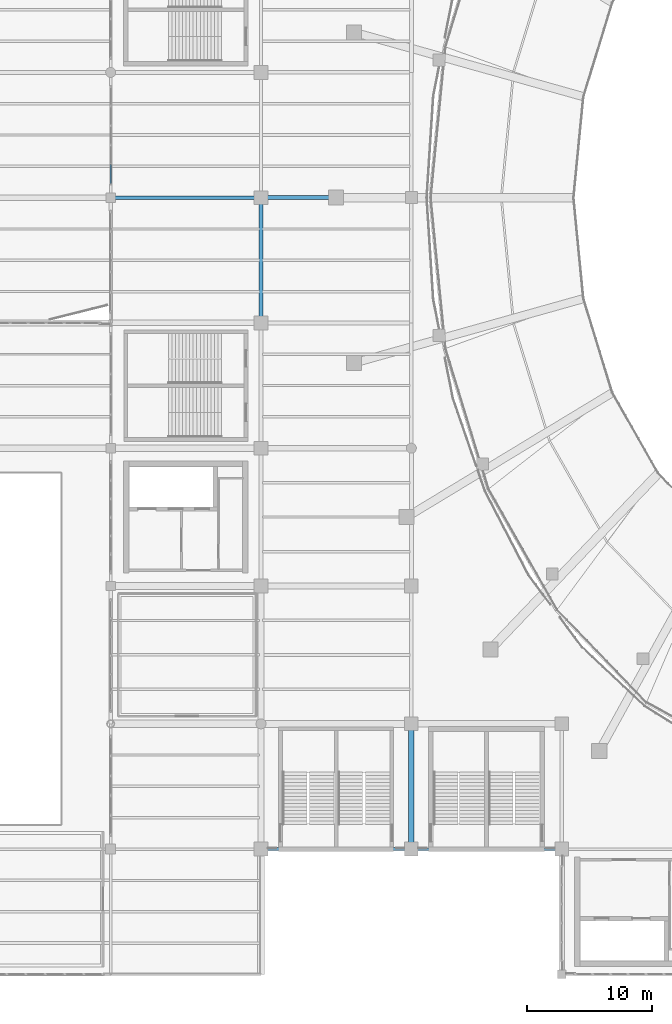
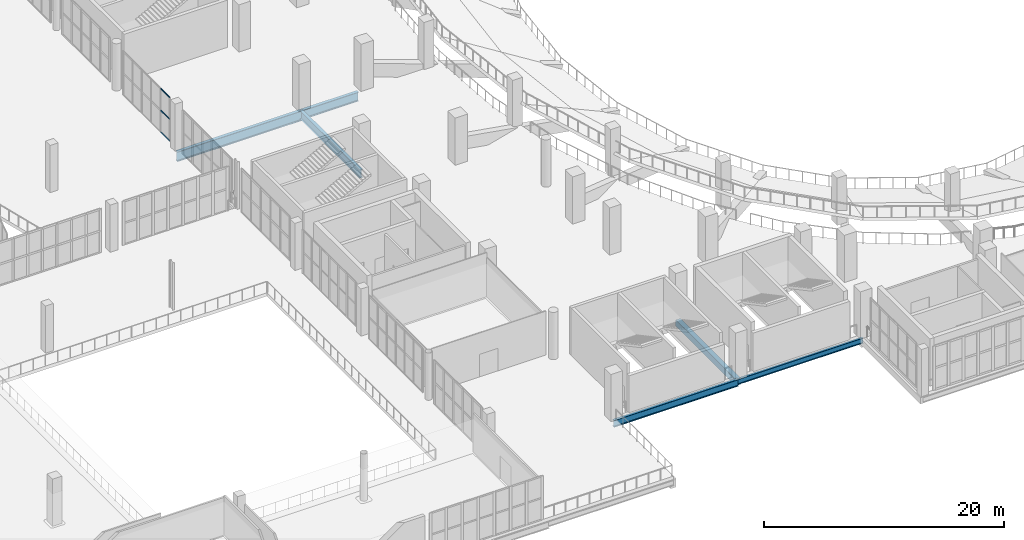
# One storey, part 37 of 136: 6 beams, 3 members, 1 element without a shape of its own.
"""IFC4 building model written with IfcOpenShell, lengths in metres."""

from ifc_helpers import new_model, si_unit, direction, frame, origin, origin_2d, place, context, subcontext, project, spatial, rectangle, hollow_rectangle, i_section, extrude, material, layer, layer_set, material_profile, profile_set, type_object, element, aggregate, save


model = new_model("IFC4")

# Units and contexts
model_context = context("Model", 3, precision=1e-05, world=origin(), true_north=direction((0.0, 1.0)))
body_context = subcontext(model_context, "Body", "Model", "MODEL_VIEW")
ifc_project = project(units=[si_unit("LENGTHUNIT", "METRE"), si_unit("AREAUNIT", "SQUARE_METRE"), si_unit("VOLUMEUNIT", "CUBIC_METRE"), si_unit("PLANEANGLEUNIT", "RADIAN"), si_unit("MASSUNIT", "GRAM", prefix="KILO")], contexts=[model_context])

# Site, building, storey
site_placement = place(None, origin())
site = spatial("IfcSite", under=ifc_project, at=site_placement, CompositionType="ELEMENT")
building_placement = place(site_placement, origin())
building = spatial("IfcBuilding", under=site, at=building_placement, Name="Brinegate Civic Arena", CompositionType="ELEMENT")
storey_placement = place(building_placement, frame((0.0, 0.0, 5.39990234375)))
storey = spatial("IfcBuildingStorey", under=building, at=storey_placement, Name="L01", CompositionType="ELEMENT", Elevation=5.39990234375)

# Curtain wall, members
ifc_material_1 = material(Name="Marine grade aluminium", Category="aluminium")
ifc_layer = layer(ifc_material_1, 0.199951171875, Name="Marine grade aluminium")
ifc_layer_set = layer_set([ifc_layer], Name="Marine grade aluminium")
curtain_wall_type = type_object("IfcCurtainWallType", Name="CW-BOWL-GLAZED-01", PredefinedType="USERDEFINED", material=ifc_layer_set)
curtain_wall_placement = place(storey_placement, origin())
curtain_wall = element("IfcCurtainWall", 1, at=curtain_wall_placement, inside=storey, type_object=curtain_wall_type, Name="Curtain Wall CWA-054", ObjectType="GLAZED CURTAIN WALL", PredefinedType="USERDEFINED")
ifc_material_profile_1 = material_profile(ifc_material_1, hollow_rectangle(XDim=0.06494140625, YDim=0.139892578125, WallThickness=0.0048828125, InnerFilletRadius=0.00390625, OuterFilletRadius=0.008056640625, at=origin_2d()), Name="TRN65X140")
ifc_profile_set_1 = profile_set([ifc_material_profile_1], Name="Marine grade aluminium")
member_type = type_object("IfcMemberType", Name="CW-TRANSOM-65X140", PredefinedType="USERDEFINED", material=ifc_profile_set_1)
member_1_placement = place(storey_placement, frame((48.0, 63.14501953125, 0.03271484375), z_axis=(0.0, 1.0, 0.0), x_axis=(-1.0, 0.0, 0.0)))
member_1 = element("IfcMember", 2, at=member_1_placement, type_object=member_type, Name="CWA-054 transom 1.1", ObjectType="TRANSOM", PredefinedType="USERDEFINED", context=body_context, shape_type="SweptSolid", body=[
    extrude(hollow_rectangle(XDim=0.06494140625, YDim=0.139892578125, WallThickness=0.0048828125, InnerFilletRadius=0.00390625, OuterFilletRadius=0.008056640625, at=origin_2d()), origin(), (0.0, 0.0, 1.0), 1.46337890625),
])
member_2_placement = place(storey_placement, frame((48.0, 63.14501953125, 2.235107421875), z_axis=(0.0, 1.0, 0.0), x_axis=(-1.0, 0.0, 0.0)))
member_2 = element("IfcMember", 3, at=member_2_placement, type_object=member_type, Name="CWA-054 transom 1.2", ObjectType="TRANSOM", PredefinedType="USERDEFINED", context=body_context, shape_type="SweptSolid", body=[
    extrude(hollow_rectangle(XDim=0.06494140625, YDim=0.139892578125, WallThickness=0.0048828125, InnerFilletRadius=0.00390625, OuterFilletRadius=0.008056640625, at=origin_2d()), origin(), (0.0, 0.0, 1.0), 1.46337890625),
])
member_3_placement = place(storey_placement, frame((48.0, 63.14501953125, 4.4375), z_axis=(0.0, 1.0, 0.0), x_axis=(-1.0, 0.0, 0.0)))
member_3 = element("IfcMember", 4, at=member_3_placement, type_object=member_type, Name="CWA-054 transom 1.3", ObjectType="TRANSOM", PredefinedType="USERDEFINED", context=body_context, shape_type="SweptSolid", body=[
    extrude(hollow_rectangle(XDim=0.06494140625, YDim=0.139892578125, WallThickness=0.0048828125, InnerFilletRadius=0.00390625, OuterFilletRadius=0.008056640625, at=origin_2d()), origin(), (0.0, 0.0, 1.0), 1.46337890625),
])
aggregate(curtain_wall, [member_1, member_2, member_3])

# Beams
ifc_material_2 = material(Name="Steel S355", Category="steel")
ifc_material_profile_2 = material_profile(ifc_material_2, i_section(OverallWidth=0.300048828125, OverallDepth=1.0, WebThickness=0.01904296875, FlangeThickness=0.031982421875, FilletRadius=0.02392578125, at=origin_2d()), Name="W1000X321")
ifc_profile_set_2 = profile_set([ifc_material_profile_2], Name="Steel S355")
beam_type_1 = type_object("IfcBeamType", Name="GIRDER-W1000X321", PredefinedType="BEAM", material=ifc_profile_set_2)
beam_1_placement = place(storey_placement, frame((48.0, 62.0, -0.83984375), z_axis=(1.0, 0.0, 0.0), x_axis=(0.0, 1.0, 0.0)))
element("IfcBeam", 5, at=beam_1_placement, inside=storey, type_object=beam_type_1, Name="Floor Girder BM-L01-GX-04-06", PredefinedType="BEAM", context=body_context, shape_type="SweptSolid", body=[
    extrude(i_section(OverallWidth=0.300048828125, OverallDepth=1.0, WebThickness=0.01904296875, FlangeThickness=0.031982421875, FilletRadius=0.02392578125, at=origin_2d()), origin(), (0.0, 0.0, 1.0), 12.0),
])
ifc_material_profile_3 = material_profile(ifc_material_2, i_section(OverallWidth=0.2939453125, OverallDepth=0.85107421875, WebThickness=0.01611328125, FlangeThickness=0.027099609375, FilletRadius=0.02197265625, at=origin_2d()), Name="W840X226")
ifc_profile_set_3 = profile_set([ifc_material_profile_3], Name="Steel S355")
beam_type_2 = type_object("IfcBeamType", Name="GIRDER-W840X226", PredefinedType="BEAM", material=ifc_profile_set_3)
beam_2_placement = place(storey_placement, frame((60.0, 52.0, -0.764892578125), z_axis=(0.0, 1.0, 0.0), x_axis=(-1.0, 0.0, 0.0)))
element("IfcBeam", 6, at=beam_2_placement, inside=storey, type_object=beam_type_2, Name="Floor Girder BM-L01-GY-05-05", PredefinedType="BEAM", context=body_context, shape_type="SweptSolid", body=[
    extrude(i_section(OverallWidth=0.2939453125, OverallDepth=0.85107421875, WebThickness=0.01611328125, FlangeThickness=0.027099609375, FilletRadius=0.02197265625, at=origin_2d()), origin(), (0.0, 0.0, 1.0), 10.0),
])
ifc_material_profile_4 = material_profile(ifc_material_2, i_section(OverallWidth=0.30810546875, OverallDepth=0.927001953125, WebThickness=0.01904296875, FlangeThickness=0.031982421875, FilletRadius=0.02392578125, at=origin_2d()), Name="W920X289")
ifc_profile_set_4 = profile_set([ifc_material_profile_4], Name="Steel S355")
beam_type_3 = type_object("IfcBeamType", Name="GIRDER-W920X289", PredefinedType="BEAM", material=ifc_profile_set_4)
beam_3_placement = place(storey_placement, frame((60.0, 62.0, -0.802978515625), z_axis=(1.0, 0.0, 0.0), x_axis=(0.0, 1.0, 0.0)))
element("IfcBeam", 7, at=beam_3_placement, inside=storey, type_object=beam_type_3, Name="Floor Girder BM-L01-GX-05-06", PredefinedType="BEAM", context=body_context, shape_type="SweptSolid", body=[
    extrude(i_section(OverallWidth=0.30810546875, OverallDepth=0.927001953125, WebThickness=0.01904296875, FlangeThickness=0.031982421875, FilletRadius=0.02392578125, at=origin_2d()), origin(), (0.0, 0.0, 1.0), 5.449951171875),
])
ifc_material_3 = material(Name="Concrete C50/60", Category="concrete")
ifc_material_profile_5 = material_profile(ifc_material_3, rectangle(XDim=0.449951171875, YDim=0.64990234375, at=origin_2d()), Name="RCB450X650")
ifc_profile_set_5 = profile_set([ifc_material_profile_5], Name="Concrete C50/60")
beam_type_4 = type_object("IfcBeamType", Name="RCG-450X650", PredefinedType="BEAM", material=ifc_profile_set_5)
beam_4_placement = place(storey_placement, frame((72.0, 10.0, -0.664794921875), z_axis=(0.0, 1.0, 0.0), x_axis=(-1.0, 0.0, 0.0)))
element("IfcBeam", 8, at=beam_4_placement, inside=storey, type_object=beam_type_4, Name="Floor Girder BM-L01-GY-06-01", PredefinedType="BEAM", context=body_context, shape_type="SweptSolid", body=[
    extrude(rectangle(XDim=0.449951171875, YDim=0.64990234375, at=origin_2d()), origin(), (0.0, 0.0, 1.0), 10.0),
])
ifc_material_profile_6 = material_profile(ifc_material_2, i_section(OverallWidth=0.2119140625, OverallDepth=0.5439453125, WebThickness=0.012939453125, FlangeThickness=0.02099609375, FilletRadius=0.01611328125, at=origin_2d()), Name="W530X123")
ifc_profile_set_6 = profile_set([ifc_material_profile_6], Name="Steel S355")
beam_type_5 = type_object("IfcBeamType", Name="SPANDREL-W530X123", PredefinedType="SPANDREL", material=ifc_profile_set_6)
beam_5_placement = place(storey_placement, frame((72.0, 10.0, -0.61181640625), z_axis=(1.0, 0.0, 0.0), x_axis=(0.0, 1.0, 0.0)))
element("IfcBeam", 9, at=beam_5_placement, inside=storey, type_object=beam_type_5, Name="Floor Girder BM-L01-GX-06-01", PredefinedType="SPANDREL", context=body_context, shape_type="SweptSolid", body=[
    extrude(i_section(OverallWidth=0.2119140625, OverallDepth=0.5439453125, WebThickness=0.012939453125, FlangeThickness=0.02099609375, FilletRadius=0.01611328125, at=origin_2d()), origin(), (0.0, 0.0, 1.0), 12.0),
])
ifc_material_profile_7 = material_profile(ifc_material_2, i_section(OverallWidth=0.256103515625, OverallDepth=0.693115234375, WebThickness=0.014892578125, FlangeThickness=0.02392578125, FilletRadius=0.01806640625, at=origin_2d()), Name="W690X170")
ifc_profile_set_7 = profile_set([ifc_material_profile_7], Name="Steel S355")
beam_type_6 = type_object("IfcBeamType", Name="SPANDREL-W690X170", PredefinedType="SPANDREL", material=ifc_profile_set_7)
beam_6_placement = place(storey_placement, frame((60.0, 10.0, -0.685791015625), z_axis=(1.0, 0.0, 0.0), x_axis=(0.0, 1.0, 0.0)))
element("IfcBeam", 10, at=beam_6_placement, inside=storey, type_object=beam_type_6, Name="Floor Girder BM-L01-GX-05-01", PredefinedType="SPANDREL", context=body_context, shape_type="SweptSolid", body=[
    extrude(i_section(OverallWidth=0.256103515625, OverallDepth=0.693115234375, WebThickness=0.014892578125, FlangeThickness=0.02392578125, FilletRadius=0.01806640625, at=origin_2d()), origin(), (0.0, 0.0, 1.0), 12.0),
])

save(model, "model.ifc")
